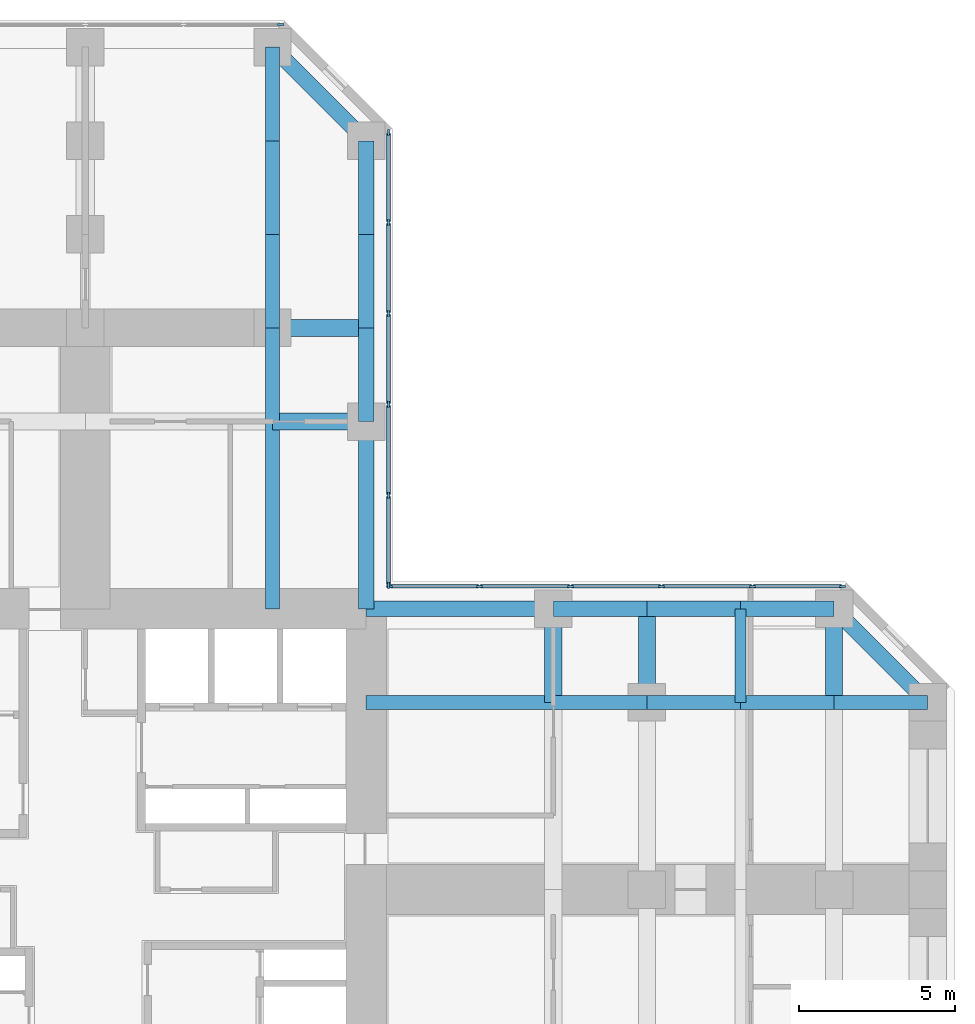
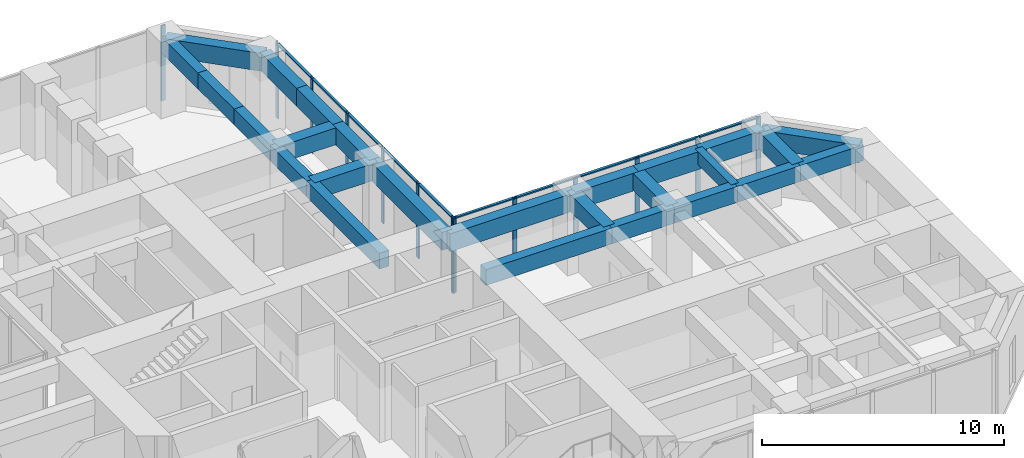
# One storey, part 6 of 13: 26 beams, 23 members, 3 elements without a shape of their own.
"""IFC4 building model written with IfcOpenShell, lengths in metres."""

from ifc_helpers import new_model, si_unit, direction, frame, origin, origin_2d, place, context, subcontext, project, spatial, rectangle, extrude, material, material_profile, profile_set, type_object, element, aggregate, save


model = new_model("IFC4")

# Units and contexts
model_context = context("Model", 3, precision=1e-05, world=origin(), true_north=direction((0.0, 1.0)))
body_context = subcontext(model_context, "Body", "Model", "MODEL_VIEW")
ifc_project = project(units=[si_unit("LENGTHUNIT", "METRE"), si_unit("AREAUNIT", "SQUARE_METRE"), si_unit("VOLUMEUNIT", "CUBIC_METRE"), si_unit("PLANEANGLEUNIT", "RADIAN"), si_unit("MASSUNIT", "GRAM", prefix="KILO")], contexts=[model_context])

# Site, building, storey
site_placement = place(None, origin())
site = spatial("IfcSite", under=ifc_project, at=site_placement, CompositionType="ELEMENT")
building_placement = place(site_placement, origin())
building = spatial("IfcBuilding", under=site, at=building_placement, Name="Torre Cruceta", CompositionType="ELEMENT")
storey_placement = place(building_placement, frame((0.0, 0.0, 27.5)))
storey = spatial("IfcBuildingStorey", under=building, at=storey_placement, Name="L06", CompositionType="ELEMENT", Elevation=27.5)

# Beams
ifc_material_1 = material(Name="Concrete G60 (fck 60 MPa)", Category="concrete")
ifc_material_profile_1 = material_profile(ifc_material_1, rectangle(XDim=0.449951171875, YDim=0.800048828125, at=origin_2d()), Name="RC 450X800")
ifc_profile_set_1 = profile_set([ifc_material_profile_1], Name="Concrete G60 (fck 60 MPa)")
beam_type_1 = type_object("IfcBeamType", Name="COLUMN LINE BEAM RC 450X800", PredefinedType="BEAM", material=ifc_profile_set_1)
beam_1_placement = place(storey_placement, frame((6.0, 9.0, 3.39990234375), z_axis=(0.0, 1.0, 0.0), x_axis=(-1.0, 0.0, 0.0)))
element("IfcBeam", 1, at=beam_1_placement, inside=storey, type_object=beam_type_1, Name="LB1 L06 N col- 1", PredefinedType="BEAM", context=body_context, shape_type="SweptSolid", body=[
    extrude(rectangle(XDim=0.449951171875, YDim=0.800048828125, at=origin_2d()), origin(), (0.0, 0.0, 1.0), 6.0),
])
for number, where, z_axis, x_axis, name in (
    (2, (6.0, 15.0, 3.39990234375), (0.0, 1.0, 0.0), (-1.0, 0.0, 0.0), "LB1 L06 N col- 2"),
    (3, (6.0, 18.0, 3.39990234375), (0.0, 1.0, 0.0), (-1.0, 0.0, 0.0), "LB1 L06 N col- 3"),
    (4, (6.0, 21.0, 3.39990234375), (0.0, 1.0, 0.0), (-1.0, 0.0, 0.0), "LB1 L06 N col- 4"),
    (5, (6.0, 24.0, 3.39990234375), (0.0, 1.0, 0.0), (-1.0, 0.0, 0.0), "LB1 L06 N col- 5"),
):
    element("IfcBeam", number, at=place(storey_placement, frame(where, z_axis=z_axis, x_axis=x_axis)), inside=storey, type_object=beam_type_1, Name=name, PredefinedType="BEAM", context=body_context, shape_type="SweptSolid", body=[
        extrude(rectangle(XDim=0.449951171875, YDim=0.800048828125, at=origin_2d()), origin(), (0.0, 0.0, 1.0), 3.0),
    ])
beam_2_placement = place(storey_placement, frame((9.0, 6.0, 3.39990234375), z_axis=(1.0, 0.0, 0.0), x_axis=(0.0, 1.0, 0.0)))
element("IfcBeam", 6, at=beam_2_placement, inside=storey, type_object=beam_type_1, Name="LB1 L06 E col+ 1", PredefinedType="BEAM", context=body_context, shape_type="SweptSolid", body=[
    extrude(rectangle(XDim=0.449951171875, YDim=0.800048828125, at=origin_2d()), origin(), (0.0, 0.0, 1.0), 6.0),
])
for number, where, z_axis, x_axis, name in (
    (7, (15.0, 6.0, 3.39990234375), (1.0, 0.0, 0.0), (0.0, 1.0, 0.0), "LB1 L06 E col+ 2"),
    (8, (18.0, 6.0, 3.39990234375), (1.0, 0.0, 0.0), (0.0, 1.0, 0.0), "LB1 L06 E col+ 3"),
    (9, (21.0, 6.0, 3.39990234375), (1.0, 0.0, 0.0), (0.0, 1.0, 0.0), "LB1 L06 E col+ 4"),
    (10, (24.0, 6.0, 3.39990234375), (1.0, 0.0, 0.0), (0.0, 1.0, 0.0), "LB1 L06 E col+ 5"),
):
    element("IfcBeam", number, at=place(storey_placement, frame(where, z_axis=z_axis, x_axis=x_axis)), inside=storey, type_object=beam_type_1, Name=name, PredefinedType="BEAM", context=body_context, shape_type="SweptSolid", body=[
        extrude(rectangle(XDim=0.449951171875, YDim=0.800048828125, at=origin_2d()), origin(), (0.0, 0.0, 1.0), 3.0),
    ])
ifc_material_2 = material(Name="Concrete G60 (fck 60 MPa)", Category="concrete")
ifc_material_profile_2 = material_profile(ifc_material_2, rectangle(XDim=0.550048828125, YDim=0.85009765625, at=origin_2d()), Name="RC 550X850")
ifc_profile_set_2 = profile_set([ifc_material_profile_2], Name="Concrete G60 (fck 60 MPa)")
beam_type_2 = type_object("IfcBeamType", Name="CROSS BEAM RC 550X850", PredefinedType="BEAM", material=ifc_profile_set_2)
for number, where, z_axis, x_axis, name in (
    (11, (9.0, 15.0, 3.375), (-1.0, 0.0, 0.0), (0.0, -1.0, 0.0), "GB4 L06 N cross15 1"),
    (12, (9.0, 18.0, 3.375), (-1.0, 0.0, 0.0), (0.0, -1.0, 0.0), "GB4 L06 N cross18 1"),
    (13, (15.0, 6.0, 3.375), (0.0, 1.0, 0.0), (-1.0, 0.0, 0.0), "GB4 L06 E cross15 4"),
    (14, (18.0, 6.0, 3.375), (0.0, 1.0, 0.0), (-1.0, 0.0, 0.0), "GB4 L06 E cross18 4"),
    (15, (24.0, 6.0, 3.375), (0.0, 1.0, 0.0), (-1.0, 0.0, 0.0), "GB4 L06 E cross24 4"),
):
    element("IfcBeam", number, at=place(storey_placement, frame(where, z_axis=z_axis, x_axis=x_axis)), inside=storey, type_object=beam_type_2, Name=name, PredefinedType="BEAM", context=body_context, shape_type="SweptSolid", body=[
        extrude(rectangle(XDim=0.550048828125, YDim=0.85009765625, at=origin_2d()), origin(), (0.0, 0.0, 1.0), 3.0),
    ])

# Curtain wall, members
ifc_material_3 = material(Name="Aluminium unitised curtain wall", Category="aluminium")
curtain_wall_type = type_object("IfcCurtainWallType", Name="CURTAIN WALL CW-A OFFICE LOW RISE", PredefinedType="USERDEFINED", material=ifc_material_3)
curtain_wall_1_placement = place(storey_placement, origin())
curtain_wall_1 = element("IfcCurtainWall", 16, at=curtain_wall_1_placement, inside=storey, type_object=curtain_wall_type, Name="CW-A L06 E side 04", ObjectType="UNITISED", PredefinedType="USERDEFINED")
ifc_material_4 = material(Name="Aluminium mullion", Category="aluminium")
ifc_material_profile_3 = material_profile(ifc_material_4, rectangle(XDim=0.06494140625, YDim=0.199951171875, at=origin_2d()), Name="AL 65X200")
ifc_profile_set_3 = profile_set([ifc_material_profile_3], Name="Aluminium mullion")
member_type_1 = type_object("IfcMemberType", Name="CW-A MULLION 65X200", PredefinedType="MULLION", material=ifc_profile_set_3)
member_1_placement = place(storey_placement, frame((24.265625, 9.719970703125, 0.0), z_axis=(0.0, 0.0, 1.0), x_axis=(0.0, -1.0, 0.0)))
member_1 = element("IfcMember", 17, at=member_1_placement, type_object=member_type_1, Name="CW-A mullion 1", PredefinedType="MULLION", context=body_context, shape_type="SweptSolid", body=[
    extrude(rectangle(XDim=0.06494140625, YDim=0.199951171875, at=origin_2d()), origin(), (0.0, 0.0, 1.0), 3.800048828125),
])
member_2_placement = place(storey_placement, frame((21.382568359375, 9.719970703125, 0.0), z_axis=(0.0, 0.0, 1.0), x_axis=(0.0, -1.0, 0.0)))
member_2 = element("IfcMember", 18, at=member_2_placement, type_object=member_type_1, Name="CW-A mullion 2", PredefinedType="MULLION", context=body_context, shape_type="SweptSolid", body=[
    extrude(rectangle(XDim=0.06494140625, YDim=0.199951171875, at=origin_2d()), origin(), (0.0, 0.0, 1.0), 3.800048828125),
])
member_3_placement = place(storey_placement, frame((18.467041015625, 9.719970703125, 0.0), z_axis=(0.0, 0.0, 1.0), x_axis=(0.0, -1.0, 0.0)))
member_3 = element("IfcMember", 19, at=member_3_placement, type_object=member_type_1, Name="CW-A mullion 3", PredefinedType="MULLION", context=body_context, shape_type="SweptSolid", body=[
    extrude(rectangle(XDim=0.06494140625, YDim=0.199951171875, at=origin_2d()), origin(), (0.0, 0.0, 1.0), 3.800048828125),
])
member_4_placement = place(storey_placement, frame((15.55126953125, 9.719970703125, 0.0), z_axis=(0.0, 0.0, 1.0), x_axis=(0.0, -1.0, 0.0)))
member_4 = element("IfcMember", 20, at=member_4_placement, type_object=member_type_1, Name="CW-A mullion 4", PredefinedType="MULLION", context=body_context, shape_type="SweptSolid", body=[
    extrude(rectangle(XDim=0.06494140625, YDim=0.199951171875, at=origin_2d()), origin(), (0.0, 0.0, 1.0), 3.800048828125),
])
member_5_placement = place(storey_placement, frame((12.6357421875, 9.719970703125, 0.0), z_axis=(0.0, 0.0, 1.0), x_axis=(0.0, -1.0, 0.0)))
member_5 = element("IfcMember", 21, at=member_5_placement, type_object=member_type_1, Name="CW-A mullion 5", PredefinedType="MULLION", context=body_context, shape_type="SweptSolid", body=[
    extrude(rectangle(XDim=0.06494140625, YDim=0.199951171875, at=origin_2d()), origin(), (0.0, 0.0, 1.0), 3.800048828125),
])
member_6_placement = place(storey_placement, frame((9.75244140625, 9.719970703125, 0.0), z_axis=(0.0, 0.0, 1.0), x_axis=(0.0, -1.0, 0.0)))
member_6 = element("IfcMember", 22, at=member_6_placement, type_object=member_type_1, Name="CW-A mullion 6", PredefinedType="MULLION", context=body_context, shape_type="SweptSolid", body=[
    extrude(rectangle(XDim=0.06494140625, YDim=0.199951171875, at=origin_2d()), origin(), (0.0, 0.0, 1.0), 3.800048828125),
])

curtain_wall_2_placement = place(storey_placement, origin())
curtain_wall_2 = element("IfcCurtainWall", 23, at=curtain_wall_2_placement, inside=storey, type_object=curtain_wall_type, Name="CW-A L06 N side 05", ObjectType="UNITISED", PredefinedType="USERDEFINED")
member_7_placement = place(storey_placement, frame((9.719970703125, 9.75244140625, 0.0), z_axis=(0.0, 0.0, 1.0), x_axis=(-1.0, 0.0, 0.0)))
member_7 = element("IfcMember", 24, at=member_7_placement, type_object=member_type_1, Name="CW-A mullion 1", PredefinedType="MULLION", context=body_context, shape_type="SweptSolid", body=[
    extrude(rectangle(XDim=0.06494140625, YDim=0.199951171875, at=origin_2d()), origin(), (0.0, 0.0, 1.0), 3.800048828125),
])
member_8_placement = place(storey_placement, frame((9.719970703125, 12.6357421875, 0.0), z_axis=(0.0, 0.0, 1.0), x_axis=(-1.0, 0.0, 0.0)))
member_8 = element("IfcMember", 25, at=member_8_placement, type_object=member_type_1, Name="CW-A mullion 2", PredefinedType="MULLION", context=body_context, shape_type="SweptSolid", body=[
    extrude(rectangle(XDim=0.06494140625, YDim=0.199951171875, at=origin_2d()), origin(), (0.0, 0.0, 1.0), 3.800048828125),
])
member_9_placement = place(storey_placement, frame((9.719970703125, 15.55126953125, 0.0), z_axis=(0.0, 0.0, 1.0), x_axis=(-1.0, 0.0, 0.0)))
member_9 = element("IfcMember", 26, at=member_9_placement, type_object=member_type_1, Name="CW-A mullion 3", PredefinedType="MULLION", context=body_context, shape_type="SweptSolid", body=[
    extrude(rectangle(XDim=0.06494140625, YDim=0.199951171875, at=origin_2d()), origin(), (0.0, 0.0, 1.0), 3.800048828125),
])
member_10_placement = place(storey_placement, frame((9.719970703125, 18.467041015625, 0.0), z_axis=(0.0, 0.0, 1.0), x_axis=(-1.0, 0.0, 0.0)))
member_10 = element("IfcMember", 27, at=member_10_placement, type_object=member_type_1, Name="CW-A mullion 4", PredefinedType="MULLION", context=body_context, shape_type="SweptSolid", body=[
    extrude(rectangle(XDim=0.06494140625, YDim=0.199951171875, at=origin_2d()), origin(), (0.0, 0.0, 1.0), 3.800048828125),
])
member_11_placement = place(storey_placement, frame((9.719970703125, 21.382568359375, 0.0), z_axis=(0.0, 0.0, 1.0), x_axis=(-1.0, 0.0, 0.0)))
member_11 = element("IfcMember", 28, at=member_11_placement, type_object=member_type_1, Name="CW-A mullion 5", PredefinedType="MULLION", context=body_context, shape_type="SweptSolid", body=[
    extrude(rectangle(XDim=0.06494140625, YDim=0.199951171875, at=origin_2d()), origin(), (0.0, 0.0, 1.0), 3.800048828125),
])
member_12_placement = place(storey_placement, frame((9.719970703125, 24.265625, 0.0), z_axis=(0.0, 0.0, 1.0), x_axis=(-1.0, 0.0, 0.0)))
member_12 = element("IfcMember", 29, at=member_12_placement, type_object=member_type_1, Name="CW-A mullion 6", PredefinedType="MULLION", context=body_context, shape_type="SweptSolid", body=[
    extrude(rectangle(XDim=0.06494140625, YDim=0.199951171875, at=origin_2d()), origin(), (0.0, 0.0, 1.0), 3.800048828125),
])

# Curtain wall, member
curtain_wall_3_placement = place(storey_placement, origin())
curtain_wall_3 = element("IfcCurtainWall", 30, at=curtain_wall_3_placement, inside=storey, type_object=curtain_wall_type, Name="CW-A L06 N tip 07", ObjectType="UNITISED", PredefinedType="USERDEFINED")
member_13_placement = place(storey_placement, frame((6.265625, 27.719970703125, 0.0), z_axis=(0.0, 0.0, 1.0), x_axis=(0.0, -1.0, 0.0)))
member_13 = element("IfcMember", 31, at=member_13_placement, type_object=member_type_1, Name="CW-A mullion 1", PredefinedType="MULLION", context=body_context, shape_type="SweptSolid", body=[
    extrude(rectangle(XDim=0.06494140625, YDim=0.199951171875, at=origin_2d()), origin(), (0.0, 0.0, 1.0), 3.800048828125),
])
aggregate(curtain_wall_3, [member_13])

# Member
ifc_material_5 = material(Name="Aluminium transom", Category="aluminium")
ifc_material_profile_4 = material_profile(ifc_material_5, rectangle(XDim=0.1201171875, YDim=0.06494140625, at=origin_2d()), Name="AL 120X65")
ifc_profile_set_4 = profile_set([ifc_material_profile_4], Name="Aluminium transom")
member_type_2 = type_object("IfcMemberType", Name="CW-A TRANSOM 65X120", PredefinedType="USERDEFINED", material=ifc_profile_set_4)
member_14_placement = place(storey_placement, frame((24.233154296875, 9.719970703125, 3.767578125), z_axis=(-1.0, 0.0, 0.0), x_axis=(0.0, -1.0, 0.0)))
member_14 = element("IfcMember", 32, at=member_14_placement, type_object=member_type_2, Name="CW-A transom 1", ObjectType="TRANSOM", PredefinedType="USERDEFINED", context=body_context, shape_type="SweptSolid", body=[
    extrude(rectangle(XDim=0.1201171875, YDim=0.06494140625, at=origin_2d()), origin(), (0.0, 0.0, 1.0), 2.818115234375),
])

member_15_placement = place(storey_placement, frame((21.35009765625, 9.719970703125, 3.767578125), z_axis=(-1.0, 0.0, 0.0), x_axis=(0.0, -1.0, 0.0)))
member_15 = element("IfcMember", 33, at=member_15_placement, type_object=member_type_2, Name="CW-A transom 2", ObjectType="TRANSOM", PredefinedType="USERDEFINED", context=body_context, shape_type="SweptSolid", body=[
    extrude(rectangle(XDim=0.1201171875, YDim=0.06494140625, at=origin_2d()), origin(), (0.0, 0.0, 1.0), 2.8505859375),
])

member_16_placement = place(storey_placement, frame((18.434326171875, 9.719970703125, 3.767578125), z_axis=(-1.0, 0.0, 0.0), x_axis=(0.0, -1.0, 0.0)))
member_16 = element("IfcMember", 34, at=member_16_placement, type_object=member_type_2, Name="CW-A transom 3", ObjectType="TRANSOM", PredefinedType="USERDEFINED", context=body_context, shape_type="SweptSolid", body=[
    extrude(rectangle(XDim=0.1201171875, YDim=0.06494140625, at=origin_2d()), origin(), (0.0, 0.0, 1.0), 2.8505859375),
])

member_17_placement = place(storey_placement, frame((15.518798828125, 9.719970703125, 3.767578125), z_axis=(-1.0, 0.0, 0.0), x_axis=(0.0, -1.0, 0.0)))
member_17 = element("IfcMember", 35, at=member_17_placement, type_object=member_type_2, Name="CW-A transom 4", ObjectType="TRANSOM", PredefinedType="USERDEFINED", context=body_context, shape_type="SweptSolid", body=[
    extrude(rectangle(XDim=0.1201171875, YDim=0.06494140625, at=origin_2d()), origin(), (0.0, 0.0, 1.0), 2.8505859375),
])

member_18_placement = place(storey_placement, frame((12.60302734375, 9.719970703125, 3.767578125), z_axis=(-1.0, 0.0, 0.0), x_axis=(0.0, -1.0, 0.0)))
member_18 = element("IfcMember", 36, at=member_18_placement, type_object=member_type_2, Name="CW-A transom 5", ObjectType="TRANSOM", PredefinedType="USERDEFINED", context=body_context, shape_type="SweptSolid", body=[
    extrude(rectangle(XDim=0.1201171875, YDim=0.06494140625, at=origin_2d()), origin(), (0.0, 0.0, 1.0), 2.818115234375),
])

aggregate(curtain_wall_1, [member_1, member_2, member_3, member_4, member_5, member_6, member_14, member_15, member_16, member_17, member_18])

member_19_placement = place(storey_placement, frame((9.719970703125, 9.784912109375, 3.767578125), z_axis=(0.0, 1.0, 0.0), x_axis=(-1.0, 0.0, 0.0)))
member_19 = element("IfcMember", 37, at=member_19_placement, type_object=member_type_2, Name="CW-A transom 1", ObjectType="TRANSOM", PredefinedType="USERDEFINED", context=body_context, shape_type="SweptSolid", body=[
    extrude(rectangle(XDim=0.1201171875, YDim=0.06494140625, at=origin_2d()), origin(), (0.0, 0.0, 1.0), 2.818115234375),
])

member_20_placement = place(storey_placement, frame((9.719970703125, 12.668212890625, 3.767578125), z_axis=(0.0, 1.0, 0.0), x_axis=(-1.0, 0.0, 0.0)))
member_20 = element("IfcMember", 38, at=member_20_placement, type_object=member_type_2, Name="CW-A transom 2", ObjectType="TRANSOM", PredefinedType="USERDEFINED", context=body_context, shape_type="SweptSolid", body=[
    extrude(rectangle(XDim=0.1201171875, YDim=0.06494140625, at=origin_2d()), origin(), (0.0, 0.0, 1.0), 2.8505859375),
])

member_21_placement = place(storey_placement, frame((9.719970703125, 15.583740234375, 3.767578125), z_axis=(0.0, 1.0, 0.0), x_axis=(-1.0, 0.0, 0.0)))
member_21 = element("IfcMember", 39, at=member_21_placement, type_object=member_type_2, Name="CW-A transom 3", ObjectType="TRANSOM", PredefinedType="USERDEFINED", context=body_context, shape_type="SweptSolid", body=[
    extrude(rectangle(XDim=0.1201171875, YDim=0.06494140625, at=origin_2d()), origin(), (0.0, 0.0, 1.0), 2.8505859375),
])

member_22_placement = place(storey_placement, frame((9.719970703125, 18.49951171875, 3.767578125), z_axis=(0.0, 1.0, 0.0), x_axis=(-1.0, 0.0, 0.0)))
member_22 = element("IfcMember", 40, at=member_22_placement, type_object=member_type_2, Name="CW-A transom 4", ObjectType="TRANSOM", PredefinedType="USERDEFINED", context=body_context, shape_type="SweptSolid", body=[
    extrude(rectangle(XDim=0.1201171875, YDim=0.06494140625, at=origin_2d()), origin(), (0.0, 0.0, 1.0), 2.8505859375),
])

member_23_placement = place(storey_placement, frame((9.719970703125, 21.4150390625, 3.767578125), z_axis=(0.0, 1.0, 0.0), x_axis=(-1.0, 0.0, 0.0)))
member_23 = element("IfcMember", 41, at=member_23_placement, type_object=member_type_2, Name="CW-A transom 5", ObjectType="TRANSOM", PredefinedType="USERDEFINED", context=body_context, shape_type="SweptSolid", body=[
    extrude(rectangle(XDim=0.1201171875, YDim=0.06494140625, at=origin_2d()), origin(), (0.0, 0.0, 1.0), 2.818115234375),
])

aggregate(curtain_wall_2, [member_7, member_8, member_9, member_10, member_11, member_12, member_19, member_20, member_21, member_22, member_23])

# Beams
ifc_material_6 = material(Name="Concrete G60 (fck 60 MPa)", Category="concrete")
ifc_material_profile_5 = material_profile(ifc_material_6, rectangle(XDim=0.35009765625, YDim=0.64990234375, at=origin_2d()), Name="RC 350X650")
ifc_profile_set_5 = profile_set([ifc_material_profile_5], Name="Concrete G60 (fck 60 MPa)")
beam_type_3 = type_object("IfcBeamType", Name="SECONDARY BEAM RC 350X650", PredefinedType="JOIST", material=ifc_profile_set_5)
beam_3_placement = place(storey_placement, frame((21.0, 6.0, 3.47509765625), z_axis=(0.0, 1.0, 0.0), x_axis=(-1.0, 0.0, 0.0)))
element("IfcBeam", 42, at=beam_3_placement, inside=storey, type_object=beam_type_3, Name="JB3 L06 E sec21 4", PredefinedType="JOIST", context=body_context, shape_type="SweptSolid", body=[
    extrude(rectangle(XDim=0.35009765625, YDim=0.64990234375, at=origin_2d()), origin(), (0.0, 0.0, 1.0), 3.0),
])
ifc_material_7 = material(Name="Concrete G60 (fck 60 MPa)", Category="concrete")
ifc_material_profile_6 = material_profile(ifc_material_7, rectangle(XDim=0.5, YDim=0.89990234375, at=origin_2d()), Name="RC 500X900")
ifc_profile_set_6 = profile_set([ifc_material_profile_6], Name="Concrete G60 (fck 60 MPa)")
beam_type_4 = type_object("IfcBeamType", Name="SPANDREL BEAM RC 500X900", PredefinedType="SPANDREL", material=ifc_profile_set_6)
beam_4_placement = place(storey_placement, frame((9.0, 9.0, 3.35009765625), z_axis=(0.0, 1.0, 0.0), x_axis=(-1.0, 0.0, 0.0)))
element("IfcBeam", 43, at=beam_4_placement, inside=storey, type_object=beam_type_4, Name="SB4 L06 N side- 1", PredefinedType="SPANDREL", context=body_context, shape_type="SweptSolid", body=[
    extrude(rectangle(XDim=0.5, YDim=0.89990234375, at=origin_2d()), origin(), (0.0, 0.0, 1.0), 6.0),
])
for number, where, z_axis, x_axis, name in (
    (44, (9.0, 15.0, 3.35009765625), (0.0, 1.0, 0.0), (-1.0, 0.0, 0.0), "SB4 L06 N side- 2"),
    (45, (9.0, 18.0, 3.35009765625), (0.0, 1.0, 0.0), (-1.0, 0.0, 0.0), "SB4 L06 N side- 3"),
    (46, (9.0, 21.0, 3.35009765625), (0.0, 1.0, 0.0), (-1.0, 0.0, 0.0), "SB4 L06 N side- 4"),
):
    element("IfcBeam", number, at=place(storey_placement, frame(where, z_axis=z_axis, x_axis=x_axis)), inside=storey, type_object=beam_type_4, Name=name, PredefinedType="SPANDREL", context=body_context, shape_type="SweptSolid", body=[
        extrude(rectangle(XDim=0.5, YDim=0.89990234375, at=origin_2d()), origin(), (0.0, 0.0, 1.0), 3.0),
    ])
beam_5_placement = place(storey_placement, frame((9.0, 24.0, 3.35009765625), z_axis=(-0.707106781187, 0.707106781187, 0.0), x_axis=(-0.707106781187, -0.707106781187, 0.0)))
element("IfcBeam", 47, at=beam_5_placement, inside=storey, type_object=beam_type_4, Name="SB4 L06 N side- 5", PredefinedType="SPANDREL", context=body_context, shape_type="SweptSolid", body=[
    extrude(rectangle(XDim=0.5, YDim=0.89990234375, at=origin_2d()), origin(), (0.0, 0.0, 1.0), 4.24267578125),
])
beam_6_placement = place(storey_placement, frame((9.0, 9.0, 3.35009765625), z_axis=(1.0, 0.0, 0.0), x_axis=(0.0, 1.0, 0.0)))
element("IfcBeam", 48, at=beam_6_placement, inside=storey, type_object=beam_type_4, Name="SB4 L06 E side+ 1", PredefinedType="SPANDREL", context=body_context, shape_type="SweptSolid", body=[
    extrude(rectangle(XDim=0.5, YDim=0.89990234375, at=origin_2d()), origin(), (0.0, 0.0, 1.0), 6.0),
])
for number, where, z_axis, x_axis, name in (
    (49, (15.0, 9.0, 3.35009765625), (1.0, 0.0, 0.0), (0.0, 1.0, 0.0), "SB4 L06 E side+ 2"),
    (50, (18.0, 9.0, 3.35009765625), (1.0, 0.0, 0.0), (0.0, 1.0, 0.0), "SB4 L06 E side+ 3"),
    (51, (21.0, 9.0, 3.35009765625), (1.0, 0.0, 0.0), (0.0, 1.0, 0.0), "SB4 L06 E side+ 4"),
):
    element("IfcBeam", number, at=place(storey_placement, frame(where, z_axis=z_axis, x_axis=x_axis)), inside=storey, type_object=beam_type_4, Name=name, PredefinedType="SPANDREL", context=body_context, shape_type="SweptSolid", body=[
        extrude(rectangle(XDim=0.5, YDim=0.89990234375, at=origin_2d()), origin(), (0.0, 0.0, 1.0), 3.0),
    ])
beam_7_placement = place(storey_placement, frame((24.0, 9.0, 3.35009765625), z_axis=(0.707106781187, -0.707106781187, 0.0), x_axis=(0.707106781187, 0.707106781187, 0.0)))
element("IfcBeam", 52, at=beam_7_placement, inside=storey, type_object=beam_type_4, Name="SB4 L06 E side+ 5", PredefinedType="SPANDREL", context=body_context, shape_type="SweptSolid", body=[
    extrude(rectangle(XDim=0.5, YDim=0.89990234375, at=origin_2d()), origin(), (0.0, 0.0, 1.0), 4.24267578125),
])

save(model, "model.ifc")
